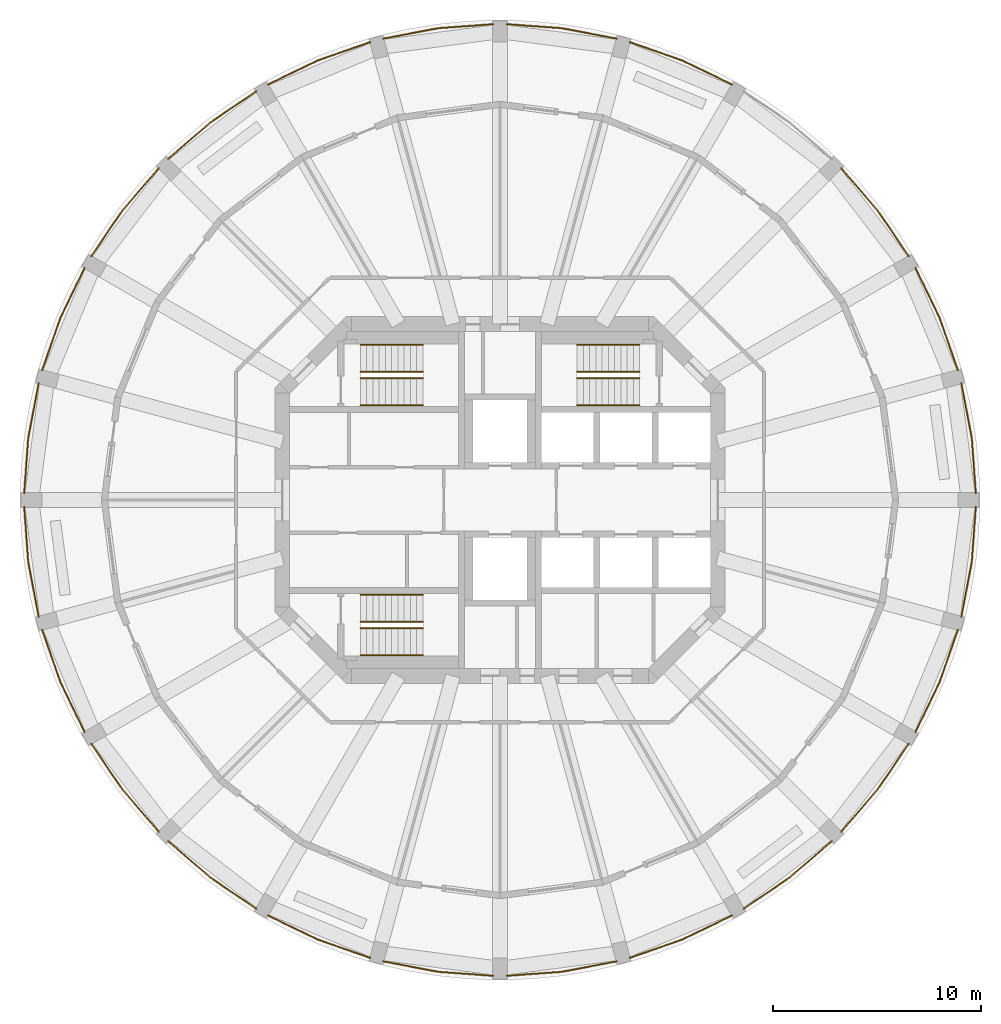
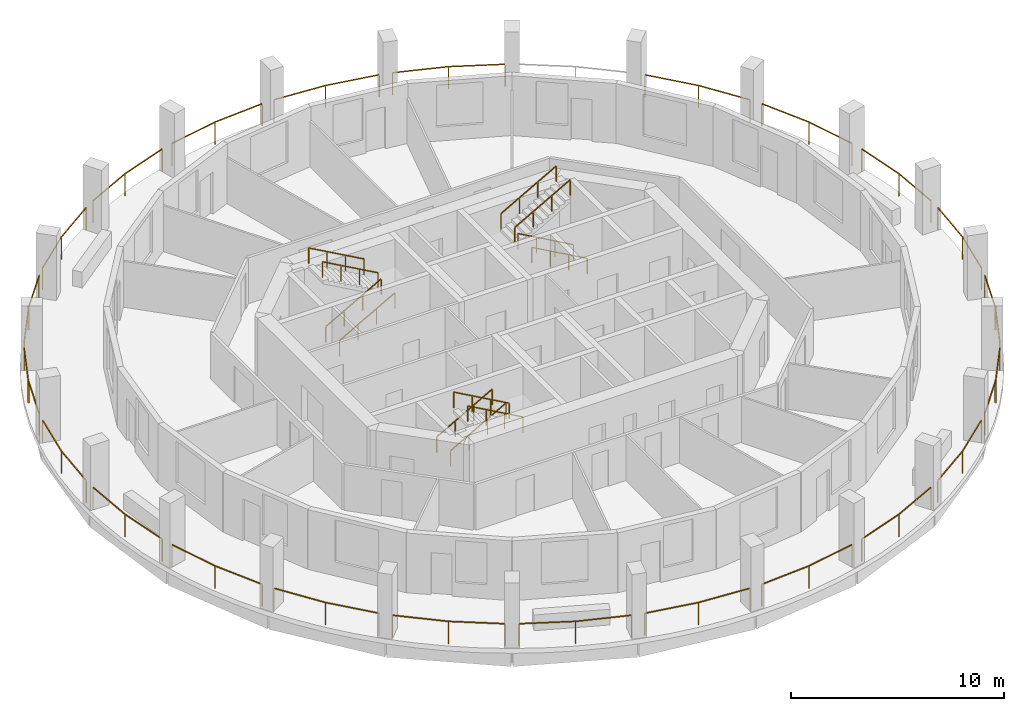
# One storey, part 8 of 9: 35 railings.
"""IFC4 building model written with IfcOpenShell, lengths in metres."""

from ifc_helpers import new_model, si_unit, direction, frame, origin, origin_2d, place, context, subcontext, project, spatial, rectangle, extrude, material, type_object, element, save


model = new_model("IFC4")

# Units and contexts
model_context = context("Model", 3, precision=1e-05, world=origin(), true_north=direction((0.0, 1.0)))
body_context = subcontext(model_context, "Body", "Model", "MODEL_VIEW")
ifc_project = project(units=[si_unit("LENGTHUNIT", "METRE"), si_unit("AREAUNIT", "SQUARE_METRE"), si_unit("VOLUMEUNIT", "CUBIC_METRE"), si_unit("PLANEANGLEUNIT", "RADIAN"), si_unit("MASSUNIT", "GRAM", prefix="KILO")], contexts=[model_context])

# Site, building, storey
site_placement = place(None, origin())
site = spatial("IfcSite", under=ifc_project, at=site_placement, CompositionType="ELEMENT")
building_placement = place(site_placement, origin())
building = spatial("IfcBuilding", under=site, at=building_placement, Name="Torre Triforio", CompositionType="ELEMENT")
storey_placement = place(building_placement, frame((0.0, 0.0, 176.39990234375)))
storey = spatial("IfcBuildingStorey", under=building, at=storey_placement, Name="L40", CompositionType="ELEMENT", Elevation=176.39990234375)

# Railings
ifc_material = material(Name="Stainless steel AISI 316", Category="steel")
railing_type_1 = type_object("IfcRailingType", Name="HANDRAIL 920", PredefinedType="HANDRAIL", material=ifc_material)
for number, where, name in (
    (1, (-6.699951171875, 4.550048828125, 0.168212890625), "Handrail ST1"),
    (2, (-6.699951171875, 5.85009765625, 0.168212890625), "Handrail ST1"),
):
    element("IfcRailing", number, at=place(storey_placement, frame(where)), inside=storey, type_object=railing_type_1, Name=name, PredefinedType="HANDRAIL", context=body_context, shape_type="SweptSolid", body=[
        extrude(rectangle(XDim=0.048095703125, YDim=0.048095703125, at=origin_2d()), frame((0.0, 0.0, 0.89599609375), z_axis=(0.872272294576, 0.0, 0.489020494575), x_axis=(0.0, 1.0, 0.0)), (0.0, 0.0, 1.0), 3.439208984375),
        extrude(rectangle(XDim=0.0419921875, YDim=0.0419921875, at=origin_2d()), origin(), (0.0, 0.0, 1.0), 0.871826171875),
        extrude(rectangle(XDim=0.0419921875, YDim=0.0419921875, at=origin_2d()), frame((1.0, 0.0, 0.560546875)), (0.0, 0.0, 1.0), 0.871826171875),
        extrude(rectangle(XDim=0.0419921875, YDim=0.0419921875, at=origin_2d()), frame((2.0, 0.0, 1.121337890625)), (0.0, 0.0, 1.0), 0.871826171875),
        extrude(rectangle(XDim=0.0419921875, YDim=0.0419921875, at=origin_2d()), frame((3.0, 0.0, 1.681884765625)), (0.0, 0.0, 1.0), 0.871826171875),
    ])
for number, where, name in (
    (3, (-3.699951171875, 7.449951171875, 2.018310546875), "Handrail ST1"),
    (4, (-3.699951171875, 6.14990234375, 2.018310546875), "Handrail ST1"),
    (5, (6.699951171875, 4.550048828125, 0.168212890625), "Handrail ST2"),
    (6, (6.699951171875, 5.85009765625, 0.168212890625), "Handrail ST2"),
):
    element("IfcRailing", number, at=place(storey_placement, frame(where)), inside=storey, type_object=railing_type_1, Name=name, PredefinedType="HANDRAIL", context=body_context, shape_type="SweptSolid", body=[
        extrude(rectangle(XDim=0.048095703125, YDim=0.048095703125, at=origin_2d()), frame((0.0, 0.0, 0.89599609375), z_axis=(-0.872272294576, 0.0, 0.489020494575), x_axis=(0.0, -1.0, 0.0)), (0.0, 0.0, 1.0), 3.439208984375),
        extrude(rectangle(XDim=0.0419921875, YDim=0.0419921875, at=origin_2d()), origin(), (0.0, 0.0, 1.0), 0.871826171875),
        extrude(rectangle(XDim=0.0419921875, YDim=0.0419921875, at=origin_2d()), frame((-1.0, 0.0, 0.560546875)), (0.0, 0.0, 1.0), 0.871826171875),
        extrude(rectangle(XDim=0.0419921875, YDim=0.0419921875, at=origin_2d()), frame((-2.0, 0.0, 1.121337890625)), (0.0, 0.0, 1.0), 0.871826171875),
        extrude(rectangle(XDim=0.0419921875, YDim=0.0419921875, at=origin_2d()), frame((-3.0, 0.0, 1.681884765625)), (0.0, 0.0, 1.0), 0.871826171875),
    ])
for number, where, name in (
    (7, (3.699951171875, 7.449951171875, 2.018310546875), "Handrail ST2"),
    (8, (3.699951171875, 6.14990234375, 2.018310546875), "Handrail ST2"),
    (9, (-6.699951171875, -4.550048828125, 0.168212890625), "Handrail ST3"),
    (10, (-6.699951171875, -5.85009765625, 0.168212890625), "Handrail ST3"),
):
    element("IfcRailing", number, at=place(storey_placement, frame(where)), inside=storey, type_object=railing_type_1, Name=name, PredefinedType="HANDRAIL", context=body_context, shape_type="SweptSolid", body=[
        extrude(rectangle(XDim=0.048095703125, YDim=0.048095703125, at=origin_2d()), frame((0.0, 0.0, 0.89599609375), z_axis=(0.872272294576, 0.0, 0.489020494575), x_axis=(0.0, 1.0, 0.0)), (0.0, 0.0, 1.0), 3.439208984375),
        extrude(rectangle(XDim=0.0419921875, YDim=0.0419921875, at=origin_2d()), origin(), (0.0, 0.0, 1.0), 0.871826171875),
        extrude(rectangle(XDim=0.0419921875, YDim=0.0419921875, at=origin_2d()), frame((1.0, 0.0, 0.560546875)), (0.0, 0.0, 1.0), 0.871826171875),
        extrude(rectangle(XDim=0.0419921875, YDim=0.0419921875, at=origin_2d()), frame((2.0, 0.0, 1.121337890625)), (0.0, 0.0, 1.0), 0.871826171875),
        extrude(rectangle(XDim=0.0419921875, YDim=0.0419921875, at=origin_2d()), frame((3.0, 0.0, 1.681884765625)), (0.0, 0.0, 1.0), 0.871826171875),
    ])
for number, where, name in (
    (11, (-3.699951171875, -7.449951171875, 2.018310546875), "Handrail ST3"),
    (12, (-3.699951171875, -6.14990234375, 2.018310546875), "Handrail ST3"),
):
    element("IfcRailing", number, at=place(storey_placement, frame(where)), inside=storey, type_object=railing_type_1, Name=name, PredefinedType="HANDRAIL", context=body_context, shape_type="SweptSolid", body=[
        extrude(rectangle(XDim=0.048095703125, YDim=0.048095703125, at=origin_2d()), frame((0.0, 0.0, 0.89599609375), z_axis=(-0.872272294576, 0.0, 0.489020494575), x_axis=(0.0, -1.0, 0.0)), (0.0, 0.0, 1.0), 3.439208984375),
        extrude(rectangle(XDim=0.0419921875, YDim=0.0419921875, at=origin_2d()), origin(), (0.0, 0.0, 1.0), 0.871826171875),
        extrude(rectangle(XDim=0.0419921875, YDim=0.0419921875, at=origin_2d()), frame((-1.0, 0.0, 0.560546875)), (0.0, 0.0, 1.0), 0.871826171875),
        extrude(rectangle(XDim=0.0419921875, YDim=0.0419921875, at=origin_2d()), frame((-2.0, 0.0, 1.121337890625)), (0.0, 0.0, 1.0), 0.871826171875),
        extrude(rectangle(XDim=0.0419921875, YDim=0.0419921875, at=origin_2d()), frame((-3.0, 0.0, 1.681884765625)), (0.0, 0.0, 1.0), 0.871826171875),
    ])
railing_type_2 = type_object("IfcRailingType", Name="Loggia guard 1300", PredefinedType="GUARDRAIL", material=ifc_material)
railing_1_placement = place(storey_placement, frame((22.85009765625, 0.320068359375, 0.0)))
element("IfcRailing", 13, at=railing_1_placement, inside=storey, type_object=railing_type_2, Name="Loggia guard L40 bay 01", PredefinedType="GUARDRAIL", context=body_context, shape_type="SweptSolid", body=[
    extrude(rectangle(XDim=0.050048828125, YDim=0.050048828125, at=origin_2d()), frame((0.0, 0.0, 1.27490234375), z_axis=(-0.073255194528, 0.997313228868, 0.0), x_axis=(-0.997313228868, -0.073255194528, 0.0)), (0.0, 0.0, 1.0), 2.66943359375),
    extrude(rectangle(XDim=0.050048828125, YDim=0.050048828125, at=origin_2d()), frame((-0.195556640625, 2.662353515625, 1.27490234375), z_axis=(-0.187368424401, 0.982289709575, 0.0), x_axis=(-0.982289709575, -0.187368424401, 0.0)), (0.0, 0.0, 1.0), 2.669921875),
    extrude(rectangle(XDim=0.0400390625, YDim=0.0400390625, at=origin_2d()), origin(), (0.0, 0.0, 1.0), 1.25),
    extrude(rectangle(XDim=0.0400390625, YDim=0.0400390625, at=origin_2d()), frame((-0.195556640625, 2.662353515625, 0.0)), (0.0, 0.0, 1.0), 1.25),
    extrude(rectangle(XDim=0.0400390625, YDim=0.0400390625, at=origin_2d()), frame((-0.69580078125, 5.284912109375, 0.0)), (0.0, 0.0, 1.0), 1.25),
])
railing_2_placement = place(storey_placement, frame((21.988525390625, 6.22314453125, 0.0)))
element("IfcRailing", 14, at=railing_2_placement, inside=storey, type_object=railing_type_2, Name="Loggia guard L40 bay 02", PredefinedType="GUARDRAIL", context=body_context, shape_type="SweptSolid", body=[
    extrude(rectangle(XDim=0.050048828125, YDim=0.050048828125, at=origin_2d()), frame((0.0, 0.0, 1.27490234375), z_axis=(-0.328846918852, 0.944383239984, 0.0), x_axis=(-0.944383239984, -0.328846918852, 0.0)), (0.0, 0.0, 1.0), 2.669677734375),
    extrude(rectangle(XDim=0.050048828125, YDim=0.050048828125, at=origin_2d()), frame((-0.8779296875, 2.521240234375, 1.27490234375), z_axis=(-0.435211903812, 0.900328050646, 0.0), x_axis=(-0.900328050646, -0.435211903812, 0.0)), (0.0, 0.0, 1.0), 2.669677734375),
    extrude(rectangle(XDim=0.0400390625, YDim=0.0400390625, at=origin_2d()), origin(), (0.0, 0.0, 1.0), 1.25),
    extrude(rectangle(XDim=0.0400390625, YDim=0.0400390625, at=origin_2d()), frame((-0.8779296875, 2.521240234375, 0.0)), (0.0, 0.0, 1.0), 1.25),
    extrude(rectangle(XDim=0.0400390625, YDim=0.0400390625, at=origin_2d()), frame((-2.039794921875, 4.9248046875, 0.0)), (0.0, 0.0, 1.0), 1.25),
])
railing_3_placement = place(storey_placement, frame((19.628662109375, 11.7021484375, 0.0)))
element("IfcRailing", 15, at=railing_3_placement, inside=storey, type_object=railing_type_2, Name="Loggia guard L40 bay 03", PredefinedType="GUARDRAIL", context=body_context, shape_type="SweptSolid", body=[
    extrude(rectangle(XDim=0.050048828125, YDim=0.050048828125, at=origin_2d()), frame((0.0, 0.0, 1.27490234375), z_axis=(-0.562064856935, 0.827093160774, 0.0), x_axis=(-0.827093160774, -0.562064856935, 0.0)), (0.0, 0.0, 1.0), 2.669677734375),
    extrude(rectangle(XDim=0.050048828125, YDim=0.050048828125, at=origin_2d()), frame((-1.50048828125, 2.2080078125, 1.27490234375), z_axis=(-0.653400799038, 0.757012150376, 0.0), x_axis=(-0.757012150376, -0.653400799038, 0.0)), (0.0, 0.0, 1.0), 2.669677734375),
    extrude(rectangle(XDim=0.0400390625, YDim=0.0400390625, at=origin_2d()), origin(), (0.0, 0.0, 1.0), 1.25),
    extrude(rectangle(XDim=0.0400390625, YDim=0.0400390625, at=origin_2d()), frame((-1.50048828125, 2.2080078125, 0.0)), (0.0, 0.0, 1.0), 1.25),
    extrude(rectangle(XDim=0.0400390625, YDim=0.0400390625, at=origin_2d()), frame((-3.244873046875, 4.22900390625, 0.0)), (0.0, 0.0, 1.0), 1.25),
])
railing_4_placement = place(storey_placement, frame((11.14794921875, 19.94873046875, 0.0)))
element("IfcRailing", 16, at=railing_4_placement, inside=storey, type_object=railing_type_2, Name="Loggia guard L40 bay 05", PredefinedType="GUARDRAIL", context=body_context, shape_type="SweptSolid", body=[
    extrude(rectangle(XDim=0.050048828125, YDim=0.050048828125, at=origin_2d()), frame((0.0, 0.0, 1.27490234375), z_axis=(-0.900328050646, 0.435211903812, 0.0), x_axis=(-0.435211903812, -0.900328050646, 0.0)), (0.0, 0.0, 1.0), 2.669677734375),
    extrude(rectangle(XDim=0.050048828125, YDim=0.050048828125, at=origin_2d()), frame((-2.403564453125, 1.161865234375, 1.27490234375), z_axis=(-0.944383239984, 0.328846918852, 0.0), x_axis=(-0.328846918852, -0.944383239984, 0.0)), (0.0, 0.0, 1.0), 2.669677734375),
    extrude(rectangle(XDim=0.0400390625, YDim=0.0400390625, at=origin_2d()), origin(), (0.0, 0.0, 1.0), 1.25),
    extrude(rectangle(XDim=0.0400390625, YDim=0.0400390625, at=origin_2d()), frame((-2.403564453125, 1.161865234375, 0.0)), (0.0, 0.0, 1.0), 1.25),
    extrude(rectangle(XDim=0.0400390625, YDim=0.0400390625, at=origin_2d()), frame((-4.9248046875, 2.039794921875, 0.0)), (0.0, 0.0, 1.0), 1.25),
])
railing_5_placement = place(storey_placement, frame((5.60498046875, 22.154296875, 0.0)))
element("IfcRailing", 17, at=railing_5_placement, inside=storey, type_object=railing_type_2, Name="Loggia guard L40 bay 06", PredefinedType="GUARDRAIL", context=body_context, shape_type="SweptSolid", body=[
    extrude(rectangle(XDim=0.050048828125, YDim=0.050048828125, at=origin_2d()), frame((0.0, 0.0, 1.27490234375), z_axis=(-0.982289709575, 0.187368424401, 0.0), x_axis=(-0.187368424401, -0.982289709575, 0.0)), (0.0, 0.0, 1.0), 2.669921875),
    extrude(rectangle(XDim=0.050048828125, YDim=0.050048828125, at=origin_2d()), frame((-2.62255859375, 0.500244140625, 1.27490234375), z_axis=(-0.997313228868, 0.073255194528, 0.0), x_axis=(-0.073255194528, -0.997313228868, 0.0)), (0.0, 0.0, 1.0), 2.66943359375),
    extrude(rectangle(XDim=0.0400390625, YDim=0.0400390625, at=origin_2d()), origin(), (0.0, 0.0, 1.0), 1.25),
    extrude(rectangle(XDim=0.0400390625, YDim=0.0400390625, at=origin_2d()), frame((-2.62255859375, 0.500244140625, 0.0)), (0.0, 0.0, 1.0), 1.25),
    extrude(rectangle(XDim=0.0400390625, YDim=0.0400390625, at=origin_2d()), frame((-5.284912109375, 0.69580078125, 0.0)), (0.0, 0.0, 1.0), 1.25),
])
railing_6_placement = place(storey_placement, frame((-0.320068359375, 22.85009765625, 0.0)))
element("IfcRailing", 18, at=railing_6_placement, inside=storey, type_object=railing_type_2, Name="Loggia guard L40 bay 07", PredefinedType="GUARDRAIL", context=body_context, shape_type="SweptSolid", body=[
    extrude(rectangle(XDim=0.050048828125, YDim=0.050048828125, at=origin_2d()), frame((0.0, 0.0, 1.27490234375), z_axis=(-0.997313228868, -0.073255194528, 0.0), x_axis=(0.073255194528, -0.997313228868, 0.0)), (0.0, 0.0, 1.0), 2.66943359375),
    extrude(rectangle(XDim=0.050048828125, YDim=0.050048828125, at=origin_2d()), frame((-2.662353515625, -0.195556640625, 1.27490234375), z_axis=(-0.982289709575, -0.187368424401, 0.0), x_axis=(0.187368424401, -0.982289709575, 0.0)), (0.0, 0.0, 1.0), 2.669921875),
    extrude(rectangle(XDim=0.0400390625, YDim=0.0400390625, at=origin_2d()), origin(), (0.0, 0.0, 1.0), 1.25),
    extrude(rectangle(XDim=0.0400390625, YDim=0.0400390625, at=origin_2d()), frame((-2.662353515625, -0.195556640625, 0.0)), (0.0, 0.0, 1.0), 1.25),
    extrude(rectangle(XDim=0.0400390625, YDim=0.0400390625, at=origin_2d()), frame((-5.284912109375, -0.69580078125, 0.0)), (0.0, 0.0, 1.0), 1.25),
])
railing_7_placement = place(storey_placement, frame((-6.22314453125, 21.988525390625, 0.0)))
element("IfcRailing", 19, at=railing_7_placement, inside=storey, type_object=railing_type_2, Name="Loggia guard L40 bay 08", PredefinedType="GUARDRAIL", context=body_context, shape_type="SweptSolid", body=[
    extrude(rectangle(XDim=0.050048828125, YDim=0.050048828125, at=origin_2d()), frame((0.0, 0.0, 1.27490234375), z_axis=(-0.944383239984, -0.328846918852, 0.0), x_axis=(0.328846918852, -0.944383239984, 0.0)), (0.0, 0.0, 1.0), 2.669677734375),
    extrude(rectangle(XDim=0.050048828125, YDim=0.050048828125, at=origin_2d()), frame((-2.521240234375, -0.8779296875, 1.27490234375), z_axis=(-0.900328050646, -0.435211903812, 0.0), x_axis=(0.435211903812, -0.900328050646, 0.0)), (0.0, 0.0, 1.0), 2.669677734375),
    extrude(rectangle(XDim=0.0400390625, YDim=0.0400390625, at=origin_2d()), origin(), (0.0, 0.0, 1.0), 1.25),
    extrude(rectangle(XDim=0.0400390625, YDim=0.0400390625, at=origin_2d()), frame((-2.521240234375, -0.8779296875, 0.0)), (0.0, 0.0, 1.0), 1.25),
    extrude(rectangle(XDim=0.0400390625, YDim=0.0400390625, at=origin_2d()), frame((-4.9248046875, -2.039794921875, 0.0)), (0.0, 0.0, 1.0), 1.25),
])
railing_8_placement = place(storey_placement, frame((-11.7021484375, 19.628662109375, 0.0)))
element("IfcRailing", 20, at=railing_8_placement, inside=storey, type_object=railing_type_2, Name="Loggia guard L40 bay 09", PredefinedType="GUARDRAIL", context=body_context, shape_type="SweptSolid", body=[
    extrude(rectangle(XDim=0.050048828125, YDim=0.050048828125, at=origin_2d()), frame((0.0, 0.0, 1.27490234375), z_axis=(-0.827093160774, -0.562064856935, 0.0), x_axis=(0.562064856935, -0.827093160774, 0.0)), (0.0, 0.0, 1.0), 2.669677734375),
    extrude(rectangle(XDim=0.050048828125, YDim=0.050048828125, at=origin_2d()), frame((-2.2080078125, -1.50048828125, 1.27490234375), z_axis=(-0.757012150376, -0.653400799038, 0.0), x_axis=(0.653400799038, -0.757012150376, 0.0)), (0.0, 0.0, 1.0), 2.669677734375),
    extrude(rectangle(XDim=0.0400390625, YDim=0.0400390625, at=origin_2d()), origin(), (0.0, 0.0, 1.0), 1.25),
    extrude(rectangle(XDim=0.0400390625, YDim=0.0400390625, at=origin_2d()), frame((-2.2080078125, -1.50048828125, 0.0)), (0.0, 0.0, 1.0), 1.25),
    extrude(rectangle(XDim=0.0400390625, YDim=0.0400390625, at=origin_2d()), frame((-4.22900390625, -3.244873046875, 0.0)), (0.0, 0.0, 1.0), 1.25),
])
railing_9_placement = place(storey_placement, frame((-16.3837890625, 15.93115234375, 0.0)))
element("IfcRailing", 21, at=railing_9_placement, inside=storey, type_object=railing_type_2, Name="Loggia guard L40 bay 10", PredefinedType="GUARDRAIL", context=body_context, shape_type="SweptSolid", body=[
    extrude(rectangle(XDim=0.050048828125, YDim=0.050048828125, at=origin_2d()), frame((0.0, 0.0, 1.27490234375), z_axis=(-0.653400799038, -0.757012150376, 0.0), x_axis=(0.757012150376, -0.653400799038, 0.0)), (0.0, 0.0, 1.0), 2.669677734375),
    extrude(rectangle(XDim=0.050048828125, YDim=0.050048828125, at=origin_2d()), frame((-1.744384765625, -2.02099609375, 1.27490234375), z_axis=(-0.562064856935, -0.827093160774, 0.0), x_axis=(0.827093160774, -0.562064856935, 0.0)), (0.0, 0.0, 1.0), 2.669677734375),
    extrude(rectangle(XDim=0.0400390625, YDim=0.0400390625, at=origin_2d()), origin(), (0.0, 0.0, 1.0), 1.25),
    extrude(rectangle(XDim=0.0400390625, YDim=0.0400390625, at=origin_2d()), frame((-1.744384765625, -2.02099609375, 0.0)), (0.0, 0.0, 1.0), 1.25),
    extrude(rectangle(XDim=0.0400390625, YDim=0.0400390625, at=origin_2d()), frame((-3.244873046875, -4.22900390625, 0.0)), (0.0, 0.0, 1.0), 1.25),
])
railing_10_placement = place(storey_placement, frame((-19.94873046875, 11.14794921875, 0.0)))
element("IfcRailing", 22, at=railing_10_placement, inside=storey, type_object=railing_type_2, Name="Loggia guard L40 bay 11", PredefinedType="GUARDRAIL", context=body_context, shape_type="SweptSolid", body=[
    extrude(rectangle(XDim=0.050048828125, YDim=0.050048828125, at=origin_2d()), frame((0.0, 0.0, 1.27490234375), z_axis=(-0.435211903812, -0.900328050646, 0.0), x_axis=(0.900328050646, -0.435211903812, 0.0)), (0.0, 0.0, 1.0), 2.669677734375),
    extrude(rectangle(XDim=0.050048828125, YDim=0.050048828125, at=origin_2d()), frame((-1.161865234375, -2.403564453125, 1.27490234375), z_axis=(-0.328846918852, -0.944383239984, 0.0), x_axis=(0.944383239984, -0.328846918852, 0.0)), (0.0, 0.0, 1.0), 2.669677734375),
    extrude(rectangle(XDim=0.0400390625, YDim=0.0400390625, at=origin_2d()), origin(), (0.0, 0.0, 1.0), 1.25),
    extrude(rectangle(XDim=0.0400390625, YDim=0.0400390625, at=origin_2d()), frame((-1.161865234375, -2.403564453125, 0.0)), (0.0, 0.0, 1.0), 1.25),
    extrude(rectangle(XDim=0.0400390625, YDim=0.0400390625, at=origin_2d()), frame((-2.039794921875, -4.9248046875, 0.0)), (0.0, 0.0, 1.0), 1.25),
])
railing_11_placement = place(storey_placement, frame((-22.154296875, 5.60498046875, 0.0)))
element("IfcRailing", 23, at=railing_11_placement, inside=storey, type_object=railing_type_2, Name="Loggia guard L40 bay 12", PredefinedType="GUARDRAIL", context=body_context, shape_type="SweptSolid", body=[
    extrude(rectangle(XDim=0.050048828125, YDim=0.050048828125, at=origin_2d()), frame((0.0, 0.0, 1.27490234375), z_axis=(-0.187368424401, -0.982289709575, 0.0), x_axis=(0.982289709575, -0.187368424401, 0.0)), (0.0, 0.0, 1.0), 2.669921875),
    extrude(rectangle(XDim=0.050048828125, YDim=0.050048828125, at=origin_2d()), frame((-0.500244140625, -2.62255859375, 1.27490234375), z_axis=(-0.073255194528, -0.997313228868, 0.0), x_axis=(0.997313228868, -0.073255194528, 0.0)), (0.0, 0.0, 1.0), 2.66943359375),
    extrude(rectangle(XDim=0.0400390625, YDim=0.0400390625, at=origin_2d()), origin(), (0.0, 0.0, 1.0), 1.25),
    extrude(rectangle(XDim=0.0400390625, YDim=0.0400390625, at=origin_2d()), frame((-0.500244140625, -2.62255859375, 0.0)), (0.0, 0.0, 1.0), 1.25),
    extrude(rectangle(XDim=0.0400390625, YDim=0.0400390625, at=origin_2d()), frame((-0.69580078125, -5.284912109375, 0.0)), (0.0, 0.0, 1.0), 1.25),
])
railing_12_placement = place(storey_placement, frame((-22.85009765625, -0.320068359375, 0.0)))
element("IfcRailing", 24, at=railing_12_placement, inside=storey, type_object=railing_type_2, Name="Loggia guard L40 bay 13", PredefinedType="GUARDRAIL", context=body_context, shape_type="SweptSolid", body=[
    extrude(rectangle(XDim=0.050048828125, YDim=0.050048828125, at=origin_2d()), frame((0.0, 0.0, 1.27490234375), z_axis=(0.073255194528, -0.997313228868, 0.0), x_axis=(0.997313228868, 0.073255194528, 0.0)), (0.0, 0.0, 1.0), 2.66943359375),
    extrude(rectangle(XDim=0.050048828125, YDim=0.050048828125, at=origin_2d()), frame((0.195556640625, -2.662353515625, 1.27490234375), z_axis=(0.187368424401, -0.982289709575, 0.0), x_axis=(0.982289709575, 0.187368424401, 0.0)), (0.0, 0.0, 1.0), 2.669921875),
    extrude(rectangle(XDim=0.0400390625, YDim=0.0400390625, at=origin_2d()), origin(), (0.0, 0.0, 1.0), 1.25),
    extrude(rectangle(XDim=0.0400390625, YDim=0.0400390625, at=origin_2d()), frame((0.195556640625, -2.662353515625, 0.0)), (0.0, 0.0, 1.0), 1.25),
    extrude(rectangle(XDim=0.0400390625, YDim=0.0400390625, at=origin_2d()), frame((0.69580078125, -5.284912109375, 0.0)), (0.0, 0.0, 1.0), 1.25),
])
railing_13_placement = place(storey_placement, frame((-21.988525390625, -6.22314453125, 0.0)))
element("IfcRailing", 25, at=railing_13_placement, inside=storey, type_object=railing_type_2, Name="Loggia guard L40 bay 14", PredefinedType="GUARDRAIL", context=body_context, shape_type="SweptSolid", body=[
    extrude(rectangle(XDim=0.050048828125, YDim=0.050048828125, at=origin_2d()), frame((0.0, 0.0, 1.27490234375), z_axis=(0.328846918852, -0.944383239984, 0.0), x_axis=(0.944383239984, 0.328846918852, 0.0)), (0.0, 0.0, 1.0), 2.669677734375),
    extrude(rectangle(XDim=0.050048828125, YDim=0.050048828125, at=origin_2d()), frame((0.8779296875, -2.521240234375, 1.27490234375), z_axis=(0.435211903812, -0.900328050646, 0.0), x_axis=(0.900328050646, 0.435211903812, 0.0)), (0.0, 0.0, 1.0), 2.669677734375),
    extrude(rectangle(XDim=0.0400390625, YDim=0.0400390625, at=origin_2d()), origin(), (0.0, 0.0, 1.0), 1.25),
    extrude(rectangle(XDim=0.0400390625, YDim=0.0400390625, at=origin_2d()), frame((0.8779296875, -2.521240234375, 0.0)), (0.0, 0.0, 1.0), 1.25),
    extrude(rectangle(XDim=0.0400390625, YDim=0.0400390625, at=origin_2d()), frame((2.039794921875, -4.9248046875, 0.0)), (0.0, 0.0, 1.0), 1.25),
])
railing_14_placement = place(storey_placement, frame((-19.628662109375, -11.7021484375, 0.0)))
element("IfcRailing", 26, at=railing_14_placement, inside=storey, type_object=railing_type_2, Name="Loggia guard L40 bay 15", PredefinedType="GUARDRAIL", context=body_context, shape_type="SweptSolid", body=[
    extrude(rectangle(XDim=0.050048828125, YDim=0.050048828125, at=origin_2d()), frame((0.0, 0.0, 1.27490234375), z_axis=(0.562064856935, -0.827093160774, 0.0), x_axis=(0.827093160774, 0.562064856935, 0.0)), (0.0, 0.0, 1.0), 2.669677734375),
    extrude(rectangle(XDim=0.050048828125, YDim=0.050048828125, at=origin_2d()), frame((1.50048828125, -2.2080078125, 1.27490234375), z_axis=(0.653400799038, -0.757012150376, 0.0), x_axis=(0.757012150376, 0.653400799038, 0.0)), (0.0, 0.0, 1.0), 2.669677734375),
    extrude(rectangle(XDim=0.0400390625, YDim=0.0400390625, at=origin_2d()), origin(), (0.0, 0.0, 1.0), 1.25),
    extrude(rectangle(XDim=0.0400390625, YDim=0.0400390625, at=origin_2d()), frame((1.50048828125, -2.2080078125, 0.0)), (0.0, 0.0, 1.0), 1.25),
    extrude(rectangle(XDim=0.0400390625, YDim=0.0400390625, at=origin_2d()), frame((3.244873046875, -4.22900390625, 0.0)), (0.0, 0.0, 1.0), 1.25),
])
railing_15_placement = place(storey_placement, frame((-15.93115234375, -16.3837890625, 0.0)))
element("IfcRailing", 27, at=railing_15_placement, inside=storey, type_object=railing_type_2, Name="Loggia guard L40 bay 16", PredefinedType="GUARDRAIL", context=body_context, shape_type="SweptSolid", body=[
    extrude(rectangle(XDim=0.050048828125, YDim=0.050048828125, at=origin_2d()), frame((0.0, 0.0, 1.27490234375), z_axis=(0.757012150376, -0.653400799038, 0.0), x_axis=(0.653400799038, 0.757012150376, 0.0)), (0.0, 0.0, 1.0), 2.669677734375),
    extrude(rectangle(XDim=0.050048828125, YDim=0.050048828125, at=origin_2d()), frame((2.02099609375, -1.744384765625, 1.27490234375), z_axis=(0.827093160774, -0.562064856935, 0.0), x_axis=(0.562064856935, 0.827093160774, 0.0)), (0.0, 0.0, 1.0), 2.669677734375),
    extrude(rectangle(XDim=0.0400390625, YDim=0.0400390625, at=origin_2d()), origin(), (0.0, 0.0, 1.0), 1.25),
    extrude(rectangle(XDim=0.0400390625, YDim=0.0400390625, at=origin_2d()), frame((2.02099609375, -1.744384765625, 0.0)), (0.0, 0.0, 1.0), 1.25),
    extrude(rectangle(XDim=0.0400390625, YDim=0.0400390625, at=origin_2d()), frame((4.22900390625, -3.244873046875, 0.0)), (0.0, 0.0, 1.0), 1.25),
])
railing_16_placement = place(storey_placement, frame((-11.14794921875, -19.94873046875, 0.0)))
element("IfcRailing", 28, at=railing_16_placement, inside=storey, type_object=railing_type_2, Name="Loggia guard L40 bay 17", PredefinedType="GUARDRAIL", context=body_context, shape_type="SweptSolid", body=[
    extrude(rectangle(XDim=0.050048828125, YDim=0.050048828125, at=origin_2d()), frame((0.0, 0.0, 1.27490234375), z_axis=(0.900328050646, -0.435211903812, 0.0), x_axis=(0.435211903812, 0.900328050646, 0.0)), (0.0, 0.0, 1.0), 2.669677734375),
    extrude(rectangle(XDim=0.050048828125, YDim=0.050048828125, at=origin_2d()), frame((2.403564453125, -1.161865234375, 1.27490234375), z_axis=(0.944383239984, -0.328846918852, 0.0), x_axis=(0.328846918852, 0.944383239984, 0.0)), (0.0, 0.0, 1.0), 2.669677734375),
    extrude(rectangle(XDim=0.0400390625, YDim=0.0400390625, at=origin_2d()), origin(), (0.0, 0.0, 1.0), 1.25),
    extrude(rectangle(XDim=0.0400390625, YDim=0.0400390625, at=origin_2d()), frame((2.403564453125, -1.161865234375, 0.0)), (0.0, 0.0, 1.0), 1.25),
    extrude(rectangle(XDim=0.0400390625, YDim=0.0400390625, at=origin_2d()), frame((4.9248046875, -2.039794921875, 0.0)), (0.0, 0.0, 1.0), 1.25),
])
railing_17_placement = place(storey_placement, frame((-5.60498046875, -22.154296875, 0.0)))
element("IfcRailing", 29, at=railing_17_placement, inside=storey, type_object=railing_type_2, Name="Loggia guard L40 bay 18", PredefinedType="GUARDRAIL", context=body_context, shape_type="SweptSolid", body=[
    extrude(rectangle(XDim=0.050048828125, YDim=0.050048828125, at=origin_2d()), frame((0.0, 0.0, 1.27490234375), z_axis=(0.982289709575, -0.187368424401, 0.0), x_axis=(0.187368424401, 0.982289709575, 0.0)), (0.0, 0.0, 1.0), 2.669921875),
    extrude(rectangle(XDim=0.050048828125, YDim=0.050048828125, at=origin_2d()), frame((2.62255859375, -0.500244140625, 1.27490234375), z_axis=(0.997313228868, -0.073255194528, 0.0), x_axis=(0.073255194528, 0.997313228868, 0.0)), (0.0, 0.0, 1.0), 2.66943359375),
    extrude(rectangle(XDim=0.0400390625, YDim=0.0400390625, at=origin_2d()), origin(), (0.0, 0.0, 1.0), 1.25),
    extrude(rectangle(XDim=0.0400390625, YDim=0.0400390625, at=origin_2d()), frame((2.62255859375, -0.500244140625, 0.0)), (0.0, 0.0, 1.0), 1.25),
    extrude(rectangle(XDim=0.0400390625, YDim=0.0400390625, at=origin_2d()), frame((5.284912109375, -0.69580078125, 0.0)), (0.0, 0.0, 1.0), 1.25),
])
railing_18_placement = place(storey_placement, frame((0.320068359375, -22.85009765625, 0.0)))
element("IfcRailing", 30, at=railing_18_placement, inside=storey, type_object=railing_type_2, Name="Loggia guard L40 bay 19", PredefinedType="GUARDRAIL", context=body_context, shape_type="SweptSolid", body=[
    extrude(rectangle(XDim=0.050048828125, YDim=0.050048828125, at=origin_2d()), frame((0.0, 0.0, 1.27490234375), z_axis=(0.997313228868, 0.073255194528, 0.0), x_axis=(-0.073255194528, 0.997313228868, 0.0)), (0.0, 0.0, 1.0), 2.66943359375),
    extrude(rectangle(XDim=0.050048828125, YDim=0.050048828125, at=origin_2d()), frame((2.662353515625, 0.195556640625, 1.27490234375), z_axis=(0.982289709575, 0.187368424401, 0.0), x_axis=(-0.187368424401, 0.982289709575, 0.0)), (0.0, 0.0, 1.0), 2.669921875),
    extrude(rectangle(XDim=0.0400390625, YDim=0.0400390625, at=origin_2d()), origin(), (0.0, 0.0, 1.0), 1.25),
    extrude(rectangle(XDim=0.0400390625, YDim=0.0400390625, at=origin_2d()), frame((2.662353515625, 0.195556640625, 0.0)), (0.0, 0.0, 1.0), 1.25),
    extrude(rectangle(XDim=0.0400390625, YDim=0.0400390625, at=origin_2d()), frame((5.284912109375, 0.69580078125, 0.0)), (0.0, 0.0, 1.0), 1.25),
])
railing_19_placement = place(storey_placement, frame((6.22314453125, -21.988525390625, 0.0)))
element("IfcRailing", 31, at=railing_19_placement, inside=storey, type_object=railing_type_2, Name="Loggia guard L40 bay 20", PredefinedType="GUARDRAIL", context=body_context, shape_type="SweptSolid", body=[
    extrude(rectangle(XDim=0.050048828125, YDim=0.050048828125, at=origin_2d()), frame((0.0, 0.0, 1.27490234375), z_axis=(0.944383239984, 0.328846918852, 0.0), x_axis=(-0.328846918852, 0.944383239984, 0.0)), (0.0, 0.0, 1.0), 2.669677734375),
    extrude(rectangle(XDim=0.050048828125, YDim=0.050048828125, at=origin_2d()), frame((2.521240234375, 0.8779296875, 1.27490234375), z_axis=(0.900328050646, 0.435211903812, 0.0), x_axis=(-0.435211903812, 0.900328050646, 0.0)), (0.0, 0.0, 1.0), 2.669677734375),
    extrude(rectangle(XDim=0.0400390625, YDim=0.0400390625, at=origin_2d()), origin(), (0.0, 0.0, 1.0), 1.25),
    extrude(rectangle(XDim=0.0400390625, YDim=0.0400390625, at=origin_2d()), frame((2.521240234375, 0.8779296875, 0.0)), (0.0, 0.0, 1.0), 1.25),
    extrude(rectangle(XDim=0.0400390625, YDim=0.0400390625, at=origin_2d()), frame((4.9248046875, 2.039794921875, 0.0)), (0.0, 0.0, 1.0), 1.25),
])
railing_20_placement = place(storey_placement, frame((11.7021484375, -19.628662109375, 0.0)))
element("IfcRailing", 32, at=railing_20_placement, inside=storey, type_object=railing_type_2, Name="Loggia guard L40 bay 21", PredefinedType="GUARDRAIL", context=body_context, shape_type="SweptSolid", body=[
    extrude(rectangle(XDim=0.050048828125, YDim=0.050048828125, at=origin_2d()), frame((0.0, 0.0, 1.27490234375), z_axis=(0.827093160774, 0.562064856935, 0.0), x_axis=(-0.562064856935, 0.827093160774, 0.0)), (0.0, 0.0, 1.0), 2.669677734375),
    extrude(rectangle(XDim=0.050048828125, YDim=0.050048828125, at=origin_2d()), frame((2.2080078125, 1.50048828125, 1.27490234375), z_axis=(0.757012150376, 0.653400799038, 0.0), x_axis=(-0.653400799038, 0.757012150376, 0.0)), (0.0, 0.0, 1.0), 2.669677734375),
    extrude(rectangle(XDim=0.0400390625, YDim=0.0400390625, at=origin_2d()), origin(), (0.0, 0.0, 1.0), 1.25),
    extrude(rectangle(XDim=0.0400390625, YDim=0.0400390625, at=origin_2d()), frame((2.2080078125, 1.50048828125, 0.0)), (0.0, 0.0, 1.0), 1.25),
    extrude(rectangle(XDim=0.0400390625, YDim=0.0400390625, at=origin_2d()), frame((4.22900390625, 3.244873046875, 0.0)), (0.0, 0.0, 1.0), 1.25),
])
railing_21_placement = place(storey_placement, frame((16.3837890625, -15.93115234375, 0.0)))
element("IfcRailing", 33, at=railing_21_placement, inside=storey, type_object=railing_type_2, Name="Loggia guard L40 bay 22", PredefinedType="GUARDRAIL", context=body_context, shape_type="SweptSolid", body=[
    extrude(rectangle(XDim=0.050048828125, YDim=0.050048828125, at=origin_2d()), frame((0.0, 0.0, 1.27490234375), z_axis=(0.653400799038, 0.757012150376, 0.0), x_axis=(-0.757012150376, 0.653400799038, 0.0)), (0.0, 0.0, 1.0), 2.669677734375),
    extrude(rectangle(XDim=0.050048828125, YDim=0.050048828125, at=origin_2d()), frame((1.744384765625, 2.02099609375, 1.27490234375), z_axis=(0.562064856935, 0.827093160774, 0.0), x_axis=(-0.827093160774, 0.562064856935, 0.0)), (0.0, 0.0, 1.0), 2.669677734375),
    extrude(rectangle(XDim=0.0400390625, YDim=0.0400390625, at=origin_2d()), origin(), (0.0, 0.0, 1.0), 1.25),
    extrude(rectangle(XDim=0.0400390625, YDim=0.0400390625, at=origin_2d()), frame((1.744384765625, 2.02099609375, 0.0)), (0.0, 0.0, 1.0), 1.25),
    extrude(rectangle(XDim=0.0400390625, YDim=0.0400390625, at=origin_2d()), frame((3.244873046875, 4.22900390625, 0.0)), (0.0, 0.0, 1.0), 1.25),
])
railing_22_placement = place(storey_placement, frame((19.94873046875, -11.14794921875, 0.0)))
element("IfcRailing", 34, at=railing_22_placement, inside=storey, type_object=railing_type_2, Name="Loggia guard L40 bay 23", PredefinedType="GUARDRAIL", context=body_context, shape_type="SweptSolid", body=[
    extrude(rectangle(XDim=0.050048828125, YDim=0.050048828125, at=origin_2d()), frame((0.0, 0.0, 1.27490234375), z_axis=(0.435211903812, 0.900328050646, 0.0), x_axis=(-0.900328050646, 0.435211903812, 0.0)), (0.0, 0.0, 1.0), 2.669677734375),
    extrude(rectangle(XDim=0.050048828125, YDim=0.050048828125, at=origin_2d()), frame((1.161865234375, 2.403564453125, 1.27490234375), z_axis=(0.328846918852, 0.944383239984, 0.0), x_axis=(-0.944383239984, 0.328846918852, 0.0)), (0.0, 0.0, 1.0), 2.669677734375),
    extrude(rectangle(XDim=0.0400390625, YDim=0.0400390625, at=origin_2d()), origin(), (0.0, 0.0, 1.0), 1.25),
    extrude(rectangle(XDim=0.0400390625, YDim=0.0400390625, at=origin_2d()), frame((1.161865234375, 2.403564453125, 0.0)), (0.0, 0.0, 1.0), 1.25),
    extrude(rectangle(XDim=0.0400390625, YDim=0.0400390625, at=origin_2d()), frame((2.039794921875, 4.9248046875, 0.0)), (0.0, 0.0, 1.0), 1.25),
])
railing_23_placement = place(storey_placement, frame((22.154296875, -5.60498046875, 0.0)))
element("IfcRailing", 35, at=railing_23_placement, inside=storey, type_object=railing_type_2, Name="Loggia guard L40 bay 24", PredefinedType="GUARDRAIL", context=body_context, shape_type="SweptSolid", body=[
    extrude(rectangle(XDim=0.050048828125, YDim=0.050048828125, at=origin_2d()), frame((0.0, 0.0, 1.27490234375), z_axis=(0.187368424401, 0.982289709575, 0.0), x_axis=(-0.982289709575, 0.187368424401, 0.0)), (0.0, 0.0, 1.0), 2.669921875),
    extrude(rectangle(XDim=0.050048828125, YDim=0.050048828125, at=origin_2d()), frame((0.500244140625, 2.62255859375, 1.27490234375), z_axis=(0.073255194528, 0.997313228868, 0.0), x_axis=(-0.997313228868, 0.073255194528, 0.0)), (0.0, 0.0, 1.0), 2.66943359375),
    extrude(rectangle(XDim=0.0400390625, YDim=0.0400390625, at=origin_2d()), origin(), (0.0, 0.0, 1.0), 1.25),
    extrude(rectangle(XDim=0.0400390625, YDim=0.0400390625, at=origin_2d()), frame((0.500244140625, 2.62255859375, 0.0)), (0.0, 0.0, 1.0), 1.25),
    extrude(rectangle(XDim=0.0400390625, YDim=0.0400390625, at=origin_2d()), frame((0.69580078125, 5.284912109375, 0.0)), (0.0, 0.0, 1.0), 1.25),
])

save(model, "model.ifc")
